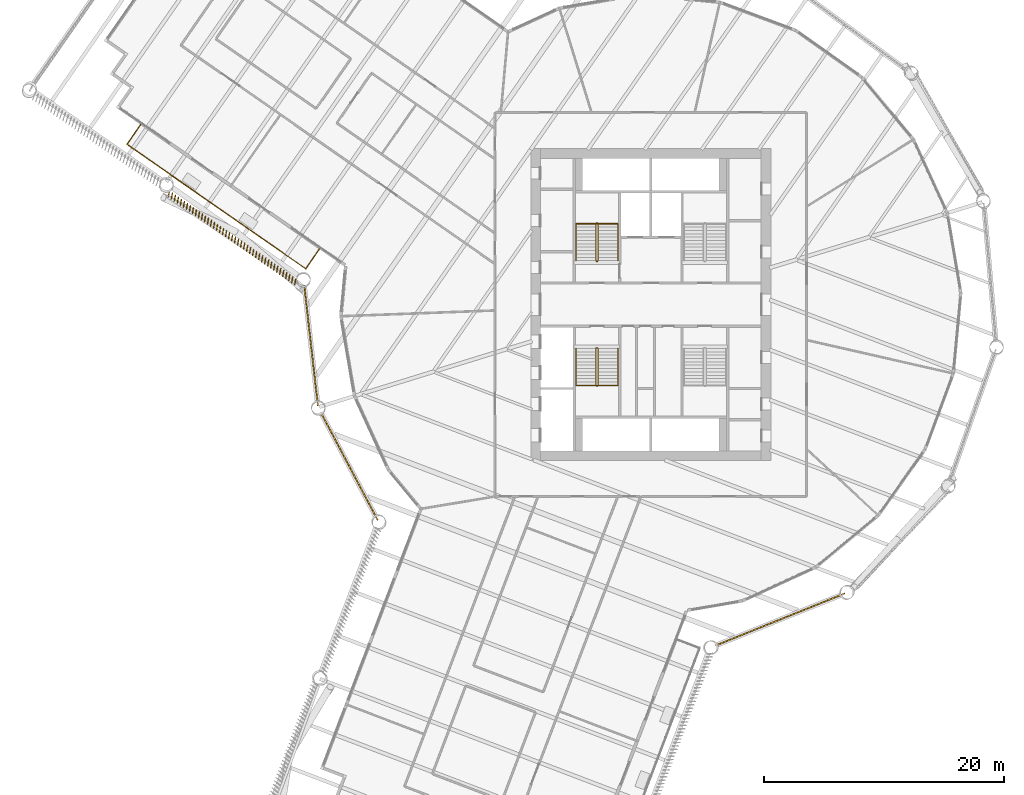
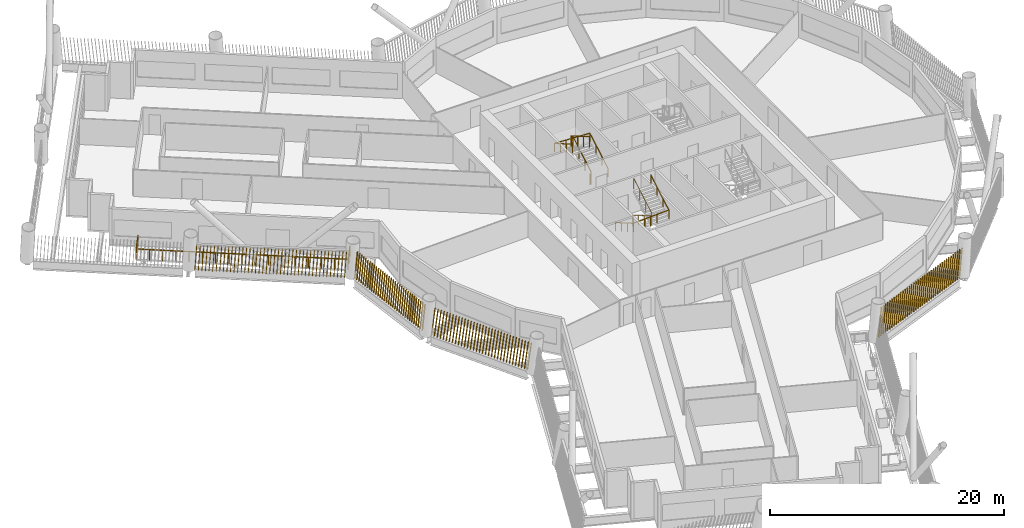
# One storey, part 19 of 23: 5 railings, 4 shading devices.
"""IFC4 building model written with IfcOpenShell, lengths in metres."""

from ifc_helpers import new_model, si_unit, direction, frame, frame_2d, origin, origin_2d, place, context, subcontext, project, spatial, rectangle, circle, composite_profile, extrude, material, type_object, element, save


model = new_model("IFC4")

# Units and contexts
model_context = context("Model", 3, precision=1e-05, world=origin(), true_north=direction((0.0, 1.0)))
body_context = subcontext(model_context, "Body", "Model", "MODEL_VIEW")
ifc_project = project(units=[si_unit("LENGTHUNIT", "METRE"), si_unit("AREAUNIT", "SQUARE_METRE"), si_unit("VOLUMEUNIT", "CUBIC_METRE"), si_unit("PLANEANGLEUNIT", "RADIAN"), si_unit("MASSUNIT", "GRAM", prefix="KILO")], contexts=[model_context])

# Site, building, storey
site_placement = place(None, origin())
site = spatial("IfcSite", under=ifc_project, at=site_placement, CompositionType="ELEMENT")
building_placement = place(site_placement, origin())
building = spatial("IfcBuilding", under=site, at=building_placement, Name="Tarsis Ring Headquarters", CompositionType="ELEMENT")
storey_placement = place(building_placement, frame((0.0, 0.0, 131.800048828125)))
storey = spatial("IfcBuildingStorey", under=building, at=storey_placement, Name="L30", CompositionType="ELEMENT", Elevation=131.800048828125)

# Railings
ifc_material_1 = material(Name="Stainless steel guard", Category="steel")
railing_type_1 = type_object("IfcRailingType", Name="Balcony balustrade with mesh infill 1100", PredefinedType="BALUSTRADE", material=ifc_material_1)
railing_1_placement = place(storey_placement, frame((-42.55810546875, 15.001953125, 0.0)))
element("IfcRailing", 1, at=railing_1_placement, inside=storey, type_object=railing_type_1, Name="Balcony balustrade L30-01", PredefinedType="BALUSTRADE", context=body_context, shape_type="SweptSolid", body=[
    extrude(circle(Radius=0.030029296875, at=origin_2d()), frame((0.0, 0.0, 1.070068359375), z_axis=(-0.571264751294, -0.820765852073, 0.0), x_axis=(0.820765852073, -0.571264751294, 0.0)), (0.0, 0.0, 1.0), 2.0),
    extrude(circle(Radius=0.030029296875, at=origin_2d()), frame((-1.142578125, -1.6416015625, 1.070068359375), z_axis=(0.820754564873, -0.57128096786, 0.0), x_axis=(0.57128096786, 0.820754564873, 0.0)), (0.0, 0.0, 1.0), 18.172119140625),
    extrude(circle(Radius=0.030029296875, at=origin_2d()), frame((13.772216796875, -12.02294921875, 1.070068359375), z_axis=(0.571264751294, 0.820765852073, 0.0), x_axis=(-0.820765852073, 0.571264751294, 0.0)), (0.0, 0.0, 1.0), 2.0),
    extrude(circle(Radius=0.02490234375, at=origin_2d()), origin(), (0.0, 0.0, 1.0), 1.0400390625),
    extrude(circle(Radius=0.02490234375, at=origin_2d()), frame((-0.5712890625, -0.82080078125, 0.0)), (0.0, 0.0, 1.0), 1.0400390625),
    extrude(circle(Radius=0.02490234375, at=origin_2d()), frame((-1.142578125, -1.6416015625, 0.0)), (0.0, 0.0, 1.0), 1.0400390625),
    extrude(circle(Radius=0.02490234375, at=origin_2d()), frame((-0.21044921875, -2.29052734375, 0.0)), (0.0, 0.0, 1.0), 1.0400390625),
    extrude(circle(Radius=0.02490234375, at=origin_2d()), frame((0.7216796875, -2.939208984375, 0.0)), (0.0, 0.0, 1.0), 1.0400390625),
    extrude(circle(Radius=0.02490234375, at=origin_2d()), frame((1.654052734375, -3.588134765625, 0.0)), (0.0, 0.0, 1.0), 1.0400390625),
    extrude(circle(Radius=0.02490234375, at=origin_2d()), frame((2.586181640625, -4.23681640625, 0.0)), (0.0, 0.0, 1.0), 1.0400390625),
    extrude(circle(Radius=0.02490234375, at=origin_2d()), frame((3.518310546875, -4.8857421875, 0.0)), (0.0, 0.0, 1.0), 1.0400390625),
    extrude(circle(Radius=0.02490234375, at=origin_2d()), frame((4.450439453125, -5.53466796875, 0.0)), (0.0, 0.0, 1.0), 1.0400390625),
    extrude(circle(Radius=0.02490234375, at=origin_2d()), frame((5.382568359375, -6.183349609375, 0.0)), (0.0, 0.0, 1.0), 1.0400390625),
    extrude(circle(Radius=0.02490234375, at=origin_2d()), frame((6.31494140625, -6.832275390625, 0.0)), (0.0, 0.0, 1.0), 1.0400390625),
    extrude(circle(Radius=0.02490234375, at=origin_2d()), frame((7.2470703125, -7.481201171875, 0.0)), (0.0, 0.0, 1.0), 1.0400390625),
    extrude(circle(Radius=0.02490234375, at=origin_2d()), frame((8.17919921875, -8.1298828125, 0.0)), (0.0, 0.0, 1.0), 1.0400390625),
    extrude(circle(Radius=0.02490234375, at=origin_2d()), frame((9.111328125, -8.77880859375, 0.0)), (0.0, 0.0, 1.0), 1.0400390625),
    extrude(circle(Radius=0.02490234375, at=origin_2d()), frame((10.04345703125, -9.427734375, 0.0)), (0.0, 0.0, 1.0), 1.0400390625),
    extrude(circle(Radius=0.02490234375, at=origin_2d()), frame((10.9755859375, -10.076416015625, 0.0)), (0.0, 0.0, 1.0), 1.0400390625),
    extrude(circle(Radius=0.02490234375, at=origin_2d()), frame((11.907958984375, -10.725341796875, 0.0)), (0.0, 0.0, 1.0), 1.0400390625),
    extrude(circle(Radius=0.02490234375, at=origin_2d()), frame((12.840087890625, -11.3740234375, 0.0)), (0.0, 0.0, 1.0), 1.0400390625),
    extrude(circle(Radius=0.02490234375, at=origin_2d()), frame((13.772216796875, -12.02294921875, 0.0)), (0.0, 0.0, 1.0), 1.0400390625),
    extrude(circle(Radius=0.02490234375, at=origin_2d()), frame((14.343505859375, -11.2021484375, 0.0)), (0.0, 0.0, 1.0), 1.0400390625),
    extrude(circle(Radius=0.02490234375, at=origin_2d()), frame((14.914794921875, -10.38134765625, 0.0)), (0.0, 0.0, 1.0), 1.0400390625),
])
ifc_material_2 = material(Name="Steel S355", Category="steel")
railing_type_2 = type_object("IfcRailingType", Name="Core stair guard 1100", PredefinedType="GUARDRAIL", material=ifc_material_2)
railing_2_placement = place(storey_placement, frame((-4.5400390625, 3.610107421875, 0.0)))
element("IfcRailing", 2, at=railing_2_placement, inside=storey, type_object=railing_type_2, Name="L30 ST1 stair guard 1", PredefinedType="GUARDRAIL", context=body_context, shape_type="SweptSolid", body=[
    extrude(circle(Radius=0.02392578125, at=origin_2d()), frame((0.0, 0.0, 1.076171875), z_axis=(1.0, 0.0, 0.0), x_axis=(0.0, 1.0, 0.0)), (0.0, 0.0, 1.0), 0.080078125),
    extrude(circle(Radius=0.02392578125, at=origin_2d()), frame((0.080078125, 0.0, 1.076171875), z_axis=(0.282693820306, 0.281314826061, 0.917031173188), x_axis=(-0.705375805398, 0.708833529934, 0.0)), (0.0, 0.0, 1.0), 0.177001953125),
    extrude(circle(Radius=0.02392578125, at=origin_2d()), frame((0.130126953125, 0.0498046875, 1.23828125), z_axis=(0.0, 0.864890721111, 0.501960198159), x_axis=(-1.0, 0.0, 0.0)), (0.0, 0.0, 1.0), 3.561279296875),
    extrude(circle(Radius=0.02392578125, at=origin_2d()), frame((0.130126953125, 3.1298828125, 3.02587890625), z_axis=(-0.707106781187, 0.707106781187, 0.0), x_axis=(-0.707106781187, -0.707106781187, 0.0)), (0.0, 0.0, 1.0), 0.07080078125),
    extrude(circle(Radius=0.02392578125, at=origin_2d()), frame((0.080078125, 3.179931640625, 3.02587890625), z_axis=(-1.0, 0.0, 0.0), x_axis=(0.0, -1.0, 0.0)), (0.0, 0.0, 1.0), 0.080078125),
    extrude(circle(Radius=0.02392578125, at=origin_2d()), frame((0.0, 3.179931640625, 3.02587890625), z_axis=(-0.282227285176, -0.282227285176, 0.916894497205), x_axis=(0.707106781187, -0.707106781187, 0.0)), (0.0, 0.0, 1.0), 0.17724609375),
    extrude(circle(Radius=0.02392578125, at=origin_2d()), frame((-0.050048828125, 3.1298828125, 3.1884765625), z_axis=(0.0, -0.864920483161, 0.501908913857), x_axis=(1.0, 0.0, 0.0)), (0.0, 0.0, 1.0), 3.56103515625),
    extrude(circle(Radius=0.02099609375, at=origin_2d()), origin(), (0.0, 0.0, 1.0), 1.052001953125),
    extrude(circle(Radius=0.02099609375, at=origin_2d()), frame((0.080078125, 0.0, 0.0)), (0.0, 0.0, 1.0), 1.052001953125),
    extrude(circle(Radius=0.02099609375, at=origin_2d()), frame((0.130126953125, 0.0498046875, 0.162353515625)), (0.0, 0.0, 1.0), 1.052001953125),
    extrude(circle(Radius=0.02099609375, at=origin_2d()), frame((0.130126953125, 1.076416015625, 0.75830078125)), (0.0, 0.0, 1.0), 1.052001953125),
    extrude(circle(Radius=0.02099609375, at=origin_2d()), frame((0.130126953125, 2.103271484375, 1.35400390625)), (0.0, 0.0, 1.0), 1.052001953125),
    extrude(circle(Radius=0.02099609375, at=origin_2d()), frame((0.130126953125, 3.1298828125, 1.949951171875)), (0.0, 0.0, 1.0), 1.052001953125),
    extrude(circle(Radius=0.02099609375, at=origin_2d()), frame((0.080078125, 3.179931640625, 1.949951171875)), (0.0, 0.0, 1.0), 1.052001953125),
    extrude(circle(Radius=0.02099609375, at=origin_2d()), frame((0.0, 3.179931640625, 1.949951171875)), (0.0, 0.0, 1.0), 1.052001953125),
    extrude(circle(Radius=0.02099609375, at=origin_2d()), frame((-0.050048828125, 3.1298828125, 2.112548828125)), (0.0, 0.0, 1.0), 1.052001953125),
    extrude(circle(Radius=0.02099609375, at=origin_2d()), frame((-0.050048828125, 2.103271484375, 2.708251953125)), (0.0, 0.0, 1.0), 1.052001953125),
    extrude(circle(Radius=0.02099609375, at=origin_2d()), frame((-0.050048828125, 1.076416015625, 3.30419921875)), (0.0, 0.0, 1.0), 1.052001953125),
    extrude(circle(Radius=0.02099609375, at=origin_2d()), frame((-0.050048828125, 0.0498046875, 3.89990234375)), (0.0, 0.0, 1.0), 1.052001953125),
])
railing_3_placement = place(storey_placement, frame((-4.4599609375, -3.610107421875, 0.0)))
element("IfcRailing", 3, at=railing_3_placement, inside=storey, type_object=railing_type_2, Name="L30 ST3 stair guard 1", PredefinedType="GUARDRAIL", context=body_context, shape_type="SweptSolid", body=[
    extrude(circle(Radius=0.02392578125, at=origin_2d()), frame((0.0, 0.0, 1.076171875), z_axis=(-1.0, 0.0, 0.0), x_axis=(0.0, -1.0, 0.0)), (0.0, 0.0, 1.0), 0.080078125),
    extrude(circle(Radius=0.02392578125, at=origin_2d()), frame((-0.080078125, 0.0, 1.076171875), z_axis=(-0.282693820306, -0.281314826061, 0.917031173188), x_axis=(0.705375805398, -0.708833529934, 0.0)), (0.0, 0.0, 1.0), 0.177001953125),
    extrude(circle(Radius=0.02392578125, at=origin_2d()), frame((-0.130126953125, -0.0498046875, 1.23828125), z_axis=(0.0, -0.864890721111, 0.501960198159), x_axis=(1.0, 0.0, 0.0)), (0.0, 0.0, 1.0), 3.561279296875),
    extrude(circle(Radius=0.02392578125, at=origin_2d()), frame((-0.130126953125, -3.1298828125, 3.02587890625), z_axis=(0.707106781187, -0.707106781187, 0.0), x_axis=(0.707106781187, 0.707106781187, 0.0)), (0.0, 0.0, 1.0), 0.07080078125),
    extrude(circle(Radius=0.02392578125, at=origin_2d()), frame((-0.080078125, -3.179931640625, 3.02587890625), z_axis=(1.0, 0.0, 0.0), x_axis=(0.0, 1.0, 0.0)), (0.0, 0.0, 1.0), 0.080078125),
    extrude(circle(Radius=0.02392578125, at=origin_2d()), frame((0.0, -3.179931640625, 3.02587890625), z_axis=(0.282227285176, 0.282227285176, 0.916894497205), x_axis=(-0.707106781187, 0.707106781187, 0.0)), (0.0, 0.0, 1.0), 0.17724609375),
    extrude(circle(Radius=0.02392578125, at=origin_2d()), frame((0.050048828125, -3.1298828125, 3.1884765625), z_axis=(0.0, 0.864920483161, 0.501908913857), x_axis=(-1.0, 0.0, 0.0)), (0.0, 0.0, 1.0), 3.56103515625),
    extrude(circle(Radius=0.02099609375, at=origin_2d()), origin(), (0.0, 0.0, 1.0), 1.052001953125),
    extrude(circle(Radius=0.02099609375, at=origin_2d()), frame((-0.080078125, 0.0, 0.0)), (0.0, 0.0, 1.0), 1.052001953125),
    extrude(circle(Radius=0.02099609375, at=origin_2d()), frame((-0.130126953125, -0.0498046875, 0.162353515625)), (0.0, 0.0, 1.0), 1.052001953125),
    extrude(circle(Radius=0.02099609375, at=origin_2d()), frame((-0.130126953125, -1.076416015625, 0.75830078125)), (0.0, 0.0, 1.0), 1.052001953125),
    extrude(circle(Radius=0.02099609375, at=origin_2d()), frame((-0.130126953125, -2.103271484375, 1.35400390625)), (0.0, 0.0, 1.0), 1.052001953125),
    extrude(circle(Radius=0.02099609375, at=origin_2d()), frame((-0.130126953125, -3.1298828125, 1.949951171875)), (0.0, 0.0, 1.0), 1.052001953125),
    extrude(circle(Radius=0.02099609375, at=origin_2d()), frame((-0.080078125, -3.179931640625, 1.949951171875)), (0.0, 0.0, 1.0), 1.052001953125),
    extrude(circle(Radius=0.02099609375, at=origin_2d()), frame((0.0, -3.179931640625, 1.949951171875)), (0.0, 0.0, 1.0), 1.052001953125),
    extrude(circle(Radius=0.02099609375, at=origin_2d()), frame((0.050048828125, -3.1298828125, 2.112548828125)), (0.0, 0.0, 1.0), 1.052001953125),
    extrude(circle(Radius=0.02099609375, at=origin_2d()), frame((0.050048828125, -2.103271484375, 2.708251953125)), (0.0, 0.0, 1.0), 1.052001953125),
    extrude(circle(Radius=0.02099609375, at=origin_2d()), frame((0.050048828125, -1.076416015625, 3.30419921875)), (0.0, 0.0, 1.0), 1.052001953125),
    extrude(circle(Radius=0.02099609375, at=origin_2d()), frame((0.050048828125, -0.0498046875, 3.89990234375)), (0.0, 0.0, 1.0), 1.052001953125),
])
railing_type_3 = type_object("IfcRailingType", Name="Core stair handrail 900", PredefinedType="HANDRAIL", material=ifc_material_2)
railing_4_placement = place(storey_placement, frame((-2.75, 3.659912109375, 0.162353515625)))
element("IfcRailing", 4, at=railing_4_placement, inside=storey, type_object=railing_type_3, Name="L30 ST1 stair handrail 1", PredefinedType="HANDRAIL", context=body_context, shape_type="SweptSolid", body=[
    extrude(circle(Radius=0.02392578125, at=origin_2d()), frame((0.0, 0.0, 0.8759765625), z_axis=(0.0, 0.864890721111, 0.501960198159), x_axis=(-1.0, 0.0, 0.0)), (0.0, 0.0, 1.0), 3.561279296875),
    extrude(circle(Radius=0.02392578125, at=origin_2d()), frame((0.0, 3.080078125, 2.66357421875), z_axis=(-0.998922641604, 0.0, 0.046406422943), x_axis=(0.0, -1.0, 0.0)), (0.0, 0.0, 1.0), 3.503662109375),
    extrude(circle(Radius=0.02392578125, at=origin_2d()), frame((-3.5, 3.080078125, 2.826171875), z_axis=(0.0, -0.864920483161, 0.501908913857), x_axis=(1.0, 0.0, 0.0)), (0.0, 0.0, 1.0), 3.56103515625),
    extrude(circle(Radius=0.02099609375, at=origin_2d()), origin(), (0.0, 0.0, 1.0), 0.851806640625),
    extrude(circle(Radius=0.02099609375, at=origin_2d()), frame((0.0, 1.026611328125, 0.595947265625)), (0.0, 0.0, 1.0), 0.851806640625),
    extrude(circle(Radius=0.02099609375, at=origin_2d()), frame((0.0, 2.053466796875, 1.191650390625)), (0.0, 0.0, 1.0), 0.851806640625),
    extrude(circle(Radius=0.02099609375, at=origin_2d()), frame((0.0, 3.080078125, 1.78759765625)), (0.0, 0.0, 1.0), 0.851806640625),
    extrude(circle(Radius=0.02099609375, at=origin_2d()), frame((-1.166748046875, 3.080078125, 1.841796875)), (0.0, 0.0, 1.0), 0.851806640625),
    extrude(circle(Radius=0.02099609375, at=origin_2d()), frame((-2.333251953125, 3.080078125, 1.89599609375)), (0.0, 0.0, 1.0), 0.851806640625),
    extrude(circle(Radius=0.02099609375, at=origin_2d()), frame((-3.5, 3.080078125, 1.9501953125)), (0.0, 0.0, 1.0), 0.851806640625),
    extrude(circle(Radius=0.02099609375, at=origin_2d()), frame((-3.5, 2.053466796875, 2.5458984375)), (0.0, 0.0, 1.0), 0.851806640625),
    extrude(circle(Radius=0.02099609375, at=origin_2d()), frame((-3.5, 1.026611328125, 3.141845703125)), (0.0, 0.0, 1.0), 0.851806640625),
    extrude(circle(Radius=0.02099609375, at=origin_2d()), frame((-3.5, 0.0, 3.737548828125)), (0.0, 0.0, 1.0), 0.851806640625),
])
railing_5_placement = place(storey_placement, frame((-6.25, -3.659912109375, 0.162353515625)))
element("IfcRailing", 5, at=railing_5_placement, inside=storey, type_object=railing_type_3, Name="L30 ST3 stair handrail 1", PredefinedType="HANDRAIL", context=body_context, shape_type="SweptSolid", body=[
    extrude(circle(Radius=0.02392578125, at=origin_2d()), frame((0.0, 0.0, 0.8759765625), z_axis=(0.0, -0.864890721111, 0.501960198159), x_axis=(1.0, 0.0, 0.0)), (0.0, 0.0, 1.0), 3.561279296875),
    extrude(circle(Radius=0.02392578125, at=origin_2d()), frame((0.0, -3.080078125, 2.66357421875), z_axis=(0.998922641604, 0.0, 0.046406422943), x_axis=(0.0, 1.0, 0.0)), (0.0, 0.0, 1.0), 3.503662109375),
    extrude(circle(Radius=0.02392578125, at=origin_2d()), frame((3.5, -3.080078125, 2.826171875), z_axis=(0.0, 0.864920483161, 0.501908913857), x_axis=(-1.0, 0.0, 0.0)), (0.0, 0.0, 1.0), 3.56103515625),
    extrude(circle(Radius=0.02099609375, at=origin_2d()), origin(), (0.0, 0.0, 1.0), 0.851806640625),
    extrude(circle(Radius=0.02099609375, at=origin_2d()), frame((0.0, -1.026611328125, 0.595947265625)), (0.0, 0.0, 1.0), 0.851806640625),
    extrude(circle(Radius=0.02099609375, at=origin_2d()), frame((0.0, -2.053466796875, 1.191650390625)), (0.0, 0.0, 1.0), 0.851806640625),
    extrude(circle(Radius=0.02099609375, at=origin_2d()), frame((0.0, -3.080078125, 1.78759765625)), (0.0, 0.0, 1.0), 0.851806640625),
    extrude(circle(Radius=0.02099609375, at=origin_2d()), frame((1.166748046875, -3.080078125, 1.841796875)), (0.0, 0.0, 1.0), 0.851806640625),
    extrude(circle(Radius=0.02099609375, at=origin_2d()), frame((2.333251953125, -3.080078125, 1.89599609375)), (0.0, 0.0, 1.0), 0.851806640625),
    extrude(circle(Radius=0.02099609375, at=origin_2d()), frame((3.5, -3.080078125, 1.9501953125)), (0.0, 0.0, 1.0), 0.851806640625),
    extrude(circle(Radius=0.02099609375, at=origin_2d()), frame((3.5, -2.053466796875, 2.5458984375)), (0.0, 0.0, 1.0), 0.851806640625),
    extrude(circle(Radius=0.02099609375, at=origin_2d()), frame((3.5, -1.026611328125, 3.141845703125)), (0.0, 0.0, 1.0), 0.851806640625),
    extrude(circle(Radius=0.02099609375, at=origin_2d()), frame((3.5, 0.0, 3.737548828125)), (0.0, 0.0, 1.0), 0.851806640625),
])

# Shading devices
ifc_material_3 = material(Name="Terracotta baguette", Category="masonry")
shading_device_type = type_object("IfcShadingDeviceType", Name="Terracotta baguette screen", PredefinedType="USERDEFINED", material=ifc_material_3)
shading_device_1_placement = place(storey_placement, frame((-27.52197265625, -9.0126953125, 0.0), z_axis=(0.0, 0.0, 1.0), x_axis=(0.467094743154, -0.884219468319, 0.0)))
element("IfcShadingDevice", 6, at=shading_device_1_placement, inside=storey, type_object=shading_device_type, Name="Baguette screen L30-00", ObjectType="Terracotta baguette screen", PredefinedType="USERDEFINED", context=body_context, shape_type="SweptSolid", body=[
    extrude(composite_profile([rectangle(XDim=0.06005859375, YDim=0.1201171875, at=frame_2d((0.030029296875, 0.0))), rectangle(XDim=0.06005859375, YDim=0.1201171875, at=frame_2d((0.33349609375, 0.0))), rectangle(XDim=0.06005859375, YDim=0.1201171875, at=frame_2d((0.636962890625, 0.0))), rectangle(XDim=0.06005859375, YDim=0.1201171875, at=frame_2d((0.9404296875, 0.0))), rectangle(XDim=0.06005859375, YDim=0.1201171875, at=frame_2d((1.243896484375, 0.0))), rectangle(XDim=0.06005859375, YDim=0.1201171875, at=frame_2d((1.54736328125, 0.0))), rectangle(XDim=0.06005859375, YDim=0.1201171875, at=frame_2d((1.850830078125, 0.0))), rectangle(XDim=0.06005859375, YDim=0.1201171875, at=frame_2d((2.154296875, 0.0))), rectangle(XDim=0.06005859375, YDim=0.1201171875, at=frame_2d((2.4580078125, 0.0))), rectangle(XDim=0.06005859375, YDim=0.1201171875, at=frame_2d((2.761474609375, 0.0))), rectangle(XDim=0.06005859375, YDim=0.1201171875, at=frame_2d((3.06494140625, 0.0))), rectangle(XDim=0.06005859375, YDim=0.1201171875, at=frame_2d((3.368408203125, 0.0))), rectangle(XDim=0.06005859375, YDim=0.1201171875, at=frame_2d((3.671875, 0.0))), rectangle(XDim=0.06005859375, YDim=0.1201171875, at=frame_2d((3.975341796875, 0.0))), rectangle(XDim=0.06005859375, YDim=0.1201171875, at=frame_2d((4.27880859375, 0.0))), rectangle(XDim=0.06005859375, YDim=0.1201171875, at=frame_2d((4.582275390625, 0.0))), rectangle(XDim=0.06005859375, YDim=0.1201171875, at=frame_2d((4.8857421875, 0.0))), rectangle(XDim=0.06005859375, YDim=0.1201171875, at=frame_2d((5.189208984375, 0.0))), rectangle(XDim=0.06005859375, YDim=0.1201171875, at=frame_2d((5.49267578125, 0.0))), rectangle(XDim=0.06005859375, YDim=0.1201171875, at=frame_2d((5.796142578125, 0.0))), rectangle(XDim=0.06005859375, YDim=0.1201171875, at=frame_2d((6.099609375, 0.0))), rectangle(XDim=0.06005859375, YDim=0.1201171875, at=frame_2d((6.403076171875, 0.0))), rectangle(XDim=0.06005859375, YDim=0.1201171875, at=frame_2d((6.70654296875, 0.0))), rectangle(XDim=0.06005859375, YDim=0.1201171875, at=frame_2d((7.010009765625, 0.0))), rectangle(XDim=0.06005859375, YDim=0.1201171875, at=frame_2d((7.3134765625, 0.0))), rectangle(XDim=0.06005859375, YDim=0.1201171875, at=frame_2d((7.6171875, 0.0))), rectangle(XDim=0.06005859375, YDim=0.1201171875, at=frame_2d((7.920654296875, 0.0))), rectangle(XDim=0.06005859375, YDim=0.1201171875, at=frame_2d((8.22412109375, 0.0))), rectangle(XDim=0.06005859375, YDim=0.1201171875, at=frame_2d((8.527587890625, 0.0))), rectangle(XDim=0.06005859375, YDim=0.1201171875, at=frame_2d((8.8310546875, 0.0))), rectangle(XDim=0.06005859375, YDim=0.1201171875, at=frame_2d((9.134521484375, 0.0))), rectangle(XDim=0.06005859375, YDim=0.1201171875, at=frame_2d((9.43798828125, 0.0))), rectangle(XDim=0.06005859375, YDim=0.1201171875, at=frame_2d((9.741455078125, 0.0)))]), origin(), (0.130482382056, 0.000887059924, 0.991450231276), 2.97802734375),
])
shading_device_2_placement = place(storey_placement, frame((5.403076171875, -28.4384765625, 0.0), z_axis=(0.0, 0.0, 1.0), x_axis=(0.927444384156, 0.373977211069, 0.0)))
element("IfcShadingDevice", 7, at=shading_device_2_placement, inside=storey, type_object=shading_device_type, Name="Baguette screen L30-07", ObjectType="Terracotta baguette screen", PredefinedType="USERDEFINED", context=body_context, shape_type="SweptSolid", body=[
    extrude(composite_profile([rectangle(XDim=0.06005859375, YDim=0.1201171875, at=frame_2d((0.030029296875, 0.0))), rectangle(XDim=0.06005859375, YDim=0.1201171875, at=frame_2d((0.33251953125, 0.0))), rectangle(XDim=0.06005859375, YDim=0.1201171875, at=frame_2d((0.634765625, 0.0))), rectangle(XDim=0.06005859375, YDim=0.1201171875, at=frame_2d((0.937255859375, 0.0))), rectangle(XDim=0.06005859375, YDim=0.1201171875, at=frame_2d((1.239501953125, 0.0))), rectangle(XDim=0.06005859375, YDim=0.1201171875, at=frame_2d((1.5419921875, 0.0))), rectangle(XDim=0.06005859375, YDim=0.1201171875, at=frame_2d((1.844482421875, 0.0))), rectangle(XDim=0.06005859375, YDim=0.1201171875, at=frame_2d((2.146728515625, 0.0))), rectangle(XDim=0.06005859375, YDim=0.1201171875, at=frame_2d((2.44921875, 0.0))), rectangle(XDim=0.06005859375, YDim=0.1201171875, at=frame_2d((2.751708984375, 0.0))), rectangle(XDim=0.06005859375, YDim=0.1201171875, at=frame_2d((3.053955078125, 0.0))), rectangle(XDim=0.06005859375, YDim=0.1201171875, at=frame_2d((3.3564453125, 0.0))), rectangle(XDim=0.06005859375, YDim=0.1201171875, at=frame_2d((3.65869140625, 0.0))), rectangle(XDim=0.06005859375, YDim=0.1201171875, at=frame_2d((3.961181640625, 0.0))), rectangle(XDim=0.06005859375, YDim=0.1201171875, at=frame_2d((4.263671875, 0.0))), rectangle(XDim=0.06005859375, YDim=0.1201171875, at=frame_2d((4.56591796875, 0.0))), rectangle(XDim=0.06005859375, YDim=0.1201171875, at=frame_2d((4.868408203125, 0.0))), rectangle(XDim=0.06005859375, YDim=0.1201171875, at=frame_2d((5.1708984375, 0.0))), rectangle(XDim=0.06005859375, YDim=0.1201171875, at=frame_2d((5.47314453125, 0.0))), rectangle(XDim=0.06005859375, YDim=0.1201171875, at=frame_2d((5.775634765625, 0.0))), rectangle(XDim=0.06005859375, YDim=0.1201171875, at=frame_2d((6.077880859375, 0.0))), rectangle(XDim=0.06005859375, YDim=0.1201171875, at=frame_2d((6.38037109375, 0.0))), rectangle(XDim=0.06005859375, YDim=0.1201171875, at=frame_2d((6.682861328125, 0.0))), rectangle(XDim=0.06005859375, YDim=0.1201171875, at=frame_2d((6.985107421875, 0.0))), rectangle(XDim=0.06005859375, YDim=0.1201171875, at=frame_2d((7.28759765625, 0.0))), rectangle(XDim=0.06005859375, YDim=0.1201171875, at=frame_2d((7.590087890625, 0.0))), rectangle(XDim=0.06005859375, YDim=0.1201171875, at=frame_2d((7.892333984375, 0.0))), rectangle(XDim=0.06005859375, YDim=0.1201171875, at=frame_2d((8.19482421875, 0.0))), rectangle(XDim=0.06005859375, YDim=0.1201171875, at=frame_2d((8.4970703125, 0.0))), rectangle(XDim=0.06005859375, YDim=0.1201171875, at=frame_2d((8.799560546875, 0.0))), rectangle(XDim=0.06005859375, YDim=0.1201171875, at=frame_2d((9.10205078125, 0.0))), rectangle(XDim=0.06005859375, YDim=0.1201171875, at=frame_2d((9.404296875, 0.0))), rectangle(XDim=0.06005859375, YDim=0.1201171875, at=frame_2d((9.706787109375, 0.0))), rectangle(XDim=0.06005859375, YDim=0.1201171875, at=frame_2d((10.00927734375, 0.0))), rectangle(XDim=0.06005859375, YDim=0.1201171875, at=frame_2d((10.3115234375, 0.0))), rectangle(XDim=0.06005859375, YDim=0.1201171875, at=frame_2d((10.614013671875, 0.0))), rectangle(XDim=0.06005859375, YDim=0.1201171875, at=frame_2d((10.916259765625, 0.0))), rectangle(XDim=0.06005859375, YDim=0.1201171875, at=frame_2d((11.21875, 0.0)))]), origin(), (0.129811146292, 0.000884435341, 0.99153834221), 2.977783203125),
])
shading_device_3_placement = place(storey_placement, frame((-40.184326171875, 9.481201171875, 0.0), z_axis=(0.0, 0.0, 1.0), x_axis=(0.820750075689, -0.571279897063, 0.0)))
element("IfcShadingDevice", 8, at=shading_device_3_placement, inside=storey, type_object=shading_device_type, Name="Baguette screen L30-20", ObjectType="Terracotta baguette screen", PredefinedType="USERDEFINED", context=body_context, shape_type="SweptSolid", body=[
    extrude(composite_profile([rectangle(XDim=0.06005859375, YDim=0.1201171875, at=frame_2d((0.030029296875, 0.0))), rectangle(XDim=0.06005859375, YDim=0.1201171875, at=frame_2d((0.335693359375, 0.0))), rectangle(XDim=0.06005859375, YDim=0.1201171875, at=frame_2d((0.6416015625, 0.0))), rectangle(XDim=0.06005859375, YDim=0.1201171875, at=frame_2d((0.947265625, 0.0))), rectangle(XDim=0.06005859375, YDim=0.1201171875, at=frame_2d((1.253173828125, 0.0))), rectangle(XDim=0.06005859375, YDim=0.1201171875, at=frame_2d((1.558837890625, 0.0))), rectangle(XDim=0.06005859375, YDim=0.1201171875, at=frame_2d((1.864501953125, 0.0))), rectangle(XDim=0.06005859375, YDim=0.1201171875, at=frame_2d((2.17041015625, 0.0))), rectangle(XDim=0.06005859375, YDim=0.1201171875, at=frame_2d((2.47607421875, 0.0))), rectangle(XDim=0.06005859375, YDim=0.1201171875, at=frame_2d((2.781982421875, 0.0))), rectangle(XDim=0.06005859375, YDim=0.1201171875, at=frame_2d((3.087646484375, 0.0))), rectangle(XDim=0.06005859375, YDim=0.1201171875, at=frame_2d((3.393310546875, 0.0))), rectangle(XDim=0.06005859375, YDim=0.1201171875, at=frame_2d((3.69921875, 0.0))), rectangle(XDim=0.06005859375, YDim=0.1201171875, at=frame_2d((4.0048828125, 0.0))), rectangle(XDim=0.06005859375, YDim=0.1201171875, at=frame_2d((4.310791015625, 0.0))), rectangle(XDim=0.06005859375, YDim=0.1201171875, at=frame_2d((4.616455078125, 0.0))), rectangle(XDim=0.06005859375, YDim=0.1201171875, at=frame_2d((4.922119140625, 0.0))), rectangle(XDim=0.06005859375, YDim=0.1201171875, at=frame_2d((5.22802734375, 0.0))), rectangle(XDim=0.06005859375, YDim=0.1201171875, at=frame_2d((5.53369140625, 0.0))), rectangle(XDim=0.06005859375, YDim=0.1201171875, at=frame_2d((5.839599609375, 0.0))), rectangle(XDim=0.06005859375, YDim=0.1201171875, at=frame_2d((6.145263671875, 0.0))), rectangle(XDim=0.06005859375, YDim=0.1201171875, at=frame_2d((6.451171875, 0.0))), rectangle(XDim=0.06005859375, YDim=0.1201171875, at=frame_2d((6.7568359375, 0.0))), rectangle(XDim=0.06005859375, YDim=0.1201171875, at=frame_2d((7.0625, 0.0))), rectangle(XDim=0.06005859375, YDim=0.1201171875, at=frame_2d((7.368408203125, 0.0))), rectangle(XDim=0.06005859375, YDim=0.1201171875, at=frame_2d((7.674072265625, 0.0))), rectangle(XDim=0.06005859375, YDim=0.1201171875, at=frame_2d((7.97998046875, 0.0))), rectangle(XDim=0.06005859375, YDim=0.1201171875, at=frame_2d((8.28564453125, 0.0))), rectangle(XDim=0.06005859375, YDim=0.1201171875, at=frame_2d((8.59130859375, 0.0))), rectangle(XDim=0.06005859375, YDim=0.1201171875, at=frame_2d((8.897216796875, 0.0))), rectangle(XDim=0.06005859375, YDim=0.1201171875, at=frame_2d((9.202880859375, 0.0))), rectangle(XDim=0.06005859375, YDim=0.1201171875, at=frame_2d((9.5087890625, 0.0))), rectangle(XDim=0.06005859375, YDim=0.1201171875, at=frame_2d((9.814453125, 0.0))), rectangle(XDim=0.06005859375, YDim=0.1201171875, at=frame_2d((10.1201171875, 0.0))), rectangle(XDim=0.06005859375, YDim=0.1201171875, at=frame_2d((10.426025390625, 0.0))), rectangle(XDim=0.06005859375, YDim=0.1201171875, at=frame_2d((10.731689453125, 0.0))), rectangle(XDim=0.06005859375, YDim=0.1201171875, at=frame_2d((11.03759765625, 0.0))), rectangle(XDim=0.06005859375, YDim=0.1201171875, at=frame_2d((11.34326171875, 0.0))), rectangle(XDim=0.06005859375, YDim=0.1201171875, at=frame_2d((11.64892578125, 0.0))), rectangle(XDim=0.06005859375, YDim=0.1201171875, at=frame_2d((11.954833984375, 0.0))), rectangle(XDim=0.06005859375, YDim=0.1201171875, at=frame_2d((12.260498046875, 0.0))), rectangle(XDim=0.06005859375, YDim=0.1201171875, at=frame_2d((12.56640625, 0.0))), rectangle(XDim=0.06005859375, YDim=0.1201171875, at=frame_2d((12.8720703125, 0.0)))]), origin(), (0.070040867372, -0.144899817913, 0.98696419371), 2.99169921875),
])
shading_device_4_placement = place(storey_placement, frame((-28.913818359375, 1.6357421875, 0.0), z_axis=(0.0, 0.0, 1.0), x_axis=(0.112779512804, -0.993628981886, 0.0)))
element("IfcShadingDevice", 9, at=shading_device_4_placement, inside=storey, type_object=shading_device_type, Name="Baguette screen L30-21", ObjectType="Terracotta baguette screen", PredefinedType="USERDEFINED", context=body_context, shape_type="SweptSolid", body=[
    extrude(composite_profile([rectangle(XDim=0.06005859375, YDim=0.1201171875, at=frame_2d((0.030029296875, 0.0))), rectangle(XDim=0.06005859375, YDim=0.1201171875, at=frame_2d((0.33349609375, 0.0))), rectangle(XDim=0.06005859375, YDim=0.1201171875, at=frame_2d((0.636962890625, 0.0))), rectangle(XDim=0.06005859375, YDim=0.1201171875, at=frame_2d((0.9404296875, 0.0))), rectangle(XDim=0.06005859375, YDim=0.1201171875, at=frame_2d((1.243896484375, 0.0))), rectangle(XDim=0.06005859375, YDim=0.1201171875, at=frame_2d((1.54736328125, 0.0))), rectangle(XDim=0.06005859375, YDim=0.1201171875, at=frame_2d((1.85107421875, 0.0))), rectangle(XDim=0.06005859375, YDim=0.1201171875, at=frame_2d((2.154541015625, 0.0))), rectangle(XDim=0.06005859375, YDim=0.1201171875, at=frame_2d((2.4580078125, 0.0))), rectangle(XDim=0.06005859375, YDim=0.1201171875, at=frame_2d((2.761474609375, 0.0))), rectangle(XDim=0.06005859375, YDim=0.1201171875, at=frame_2d((3.06494140625, 0.0))), rectangle(XDim=0.06005859375, YDim=0.1201171875, at=frame_2d((3.368408203125, 0.0))), rectangle(XDim=0.06005859375, YDim=0.1201171875, at=frame_2d((3.671875, 0.0))), rectangle(XDim=0.06005859375, YDim=0.1201171875, at=frame_2d((3.975341796875, 0.0))), rectangle(XDim=0.06005859375, YDim=0.1201171875, at=frame_2d((4.27880859375, 0.0))), rectangle(XDim=0.06005859375, YDim=0.1201171875, at=frame_2d((4.582275390625, 0.0))), rectangle(XDim=0.06005859375, YDim=0.1201171875, at=frame_2d((4.8857421875, 0.0))), rectangle(XDim=0.06005859375, YDim=0.1201171875, at=frame_2d((5.189453125, 0.0))), rectangle(XDim=0.06005859375, YDim=0.1201171875, at=frame_2d((5.492919921875, 0.0))), rectangle(XDim=0.06005859375, YDim=0.1201171875, at=frame_2d((5.79638671875, 0.0))), rectangle(XDim=0.06005859375, YDim=0.1201171875, at=frame_2d((6.099853515625, 0.0))), rectangle(XDim=0.06005859375, YDim=0.1201171875, at=frame_2d((6.4033203125, 0.0))), rectangle(XDim=0.06005859375, YDim=0.1201171875, at=frame_2d((6.706787109375, 0.0))), rectangle(XDim=0.06005859375, YDim=0.1201171875, at=frame_2d((7.01025390625, 0.0))), rectangle(XDim=0.06005859375, YDim=0.1201171875, at=frame_2d((7.313720703125, 0.0))), rectangle(XDim=0.06005859375, YDim=0.1201171875, at=frame_2d((7.6171875, 0.0))), rectangle(XDim=0.06005859375, YDim=0.1201171875, at=frame_2d((7.920654296875, 0.0))), rectangle(XDim=0.06005859375, YDim=0.1201171875, at=frame_2d((8.224365234375, 0.0))), rectangle(XDim=0.06005859375, YDim=0.1201171875, at=frame_2d((8.52783203125, 0.0))), rectangle(XDim=0.06005859375, YDim=0.1201171875, at=frame_2d((8.831298828125, 0.0))), rectangle(XDim=0.06005859375, YDim=0.1201171875, at=frame_2d((9.134765625, 0.0))), rectangle(XDim=0.06005859375, YDim=0.1201171875, at=frame_2d((9.438232421875, 0.0))), rectangle(XDim=0.06005859375, YDim=0.1201171875, at=frame_2d((9.74169921875, 0.0)))]), origin(), (0.130482079624, 0.000887087571, 0.991450271054), 2.97802734375),
])

save(model, "model.ifc")
